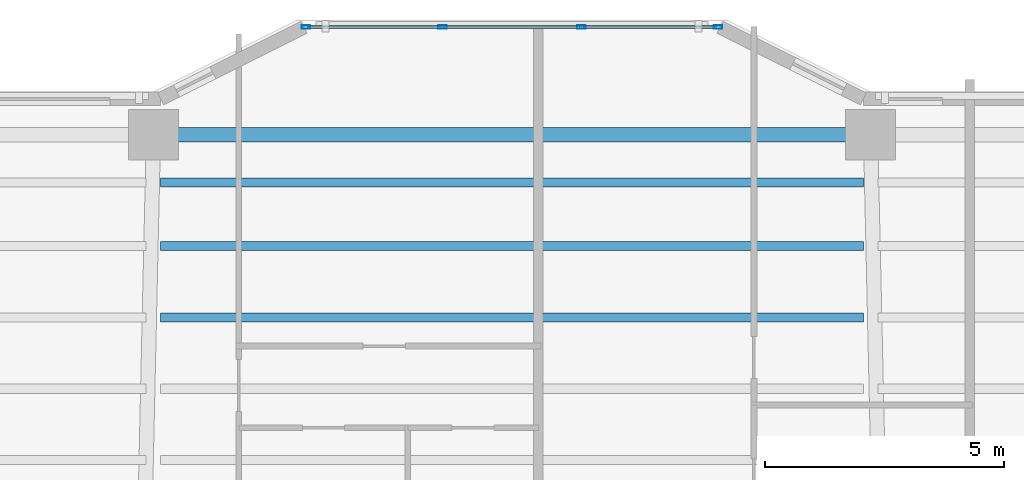
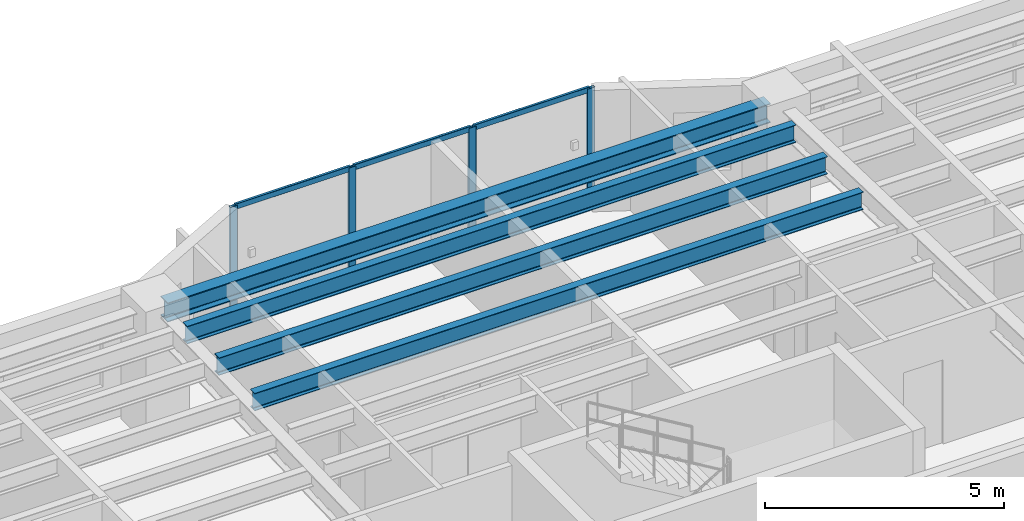
# One storey, part 4 of 18: 10 members, 4 beams, 1 element without a shape of its own.
"""IFC4 building model written with IfcOpenShell, lengths in metres."""

from ifc_helpers import new_model, si_unit, direction, frame, origin, origin_2d, place, context, subcontext, project, spatial, hollow_rectangle, i_section, extrude, material, layer, layer_set, material_profile, profile_set, type_object, element, aggregate, save


model = new_model("IFC4")

# Units and contexts
model_context = context("Model", 3, precision=1e-05, world=origin(), true_north=direction((0.0, 1.0)))
body_context = subcontext(model_context, "Body", "Model", "MODEL_VIEW")
ifc_project = project(units=[si_unit("LENGTHUNIT", "METRE"), si_unit("AREAUNIT", "SQUARE_METRE"), si_unit("VOLUMEUNIT", "CUBIC_METRE"), si_unit("PLANEANGLEUNIT", "RADIAN"), si_unit("MASSUNIT", "GRAM", prefix="KILO")], contexts=[model_context])

# Site, building, storey
site_placement = place(None, origin())
site = spatial("IfcSite", under=ifc_project, at=site_placement, CompositionType="ELEMENT")
building_placement = place(site_placement, origin())
building = spatial("IfcBuilding", under=site, at=building_placement, Name="Tarnavaz Court Tower", CompositionType="ELEMENT")
storey_placement = place(building_placement, frame((0.0, 0.0, 98.39990234375)))
storey = spatial("IfcBuildingStorey", under=building, at=storey_placement, Name="L26", CompositionType="ELEMENT", Elevation=98.39990234375)

# Beams
ifc_material_1 = material(Name="Steel S355", Category="steel")
ifc_material_profile_1 = material_profile(ifc_material_1, i_section(OverallWidth=0.18994140625, OverallDepth=0.449951171875, WebThickness=0.009521484375, FlangeThickness=0.0146484375, FilletRadius=0.02099609375, at=origin_2d()), Name="IPE 450")
ifc_profile_set_1 = profile_set([ifc_material_profile_1], Name="Steel S355")
beam_type_1 = type_object("IfcBeamType", Name="BM-J-IPE450", PredefinedType="JOIST", material=ifc_profile_set_1)
for number, where, z_axis, x_axis, name in (
    (1, (-7.35009765625, 17.48193359375, 2.875), (1.0, 0.0, 0.0), (0.0, 1.0, 0.0), "L26 Beam JN3-2"),
    (2, (-7.35009765625, 18.97607421875, 2.875), (1.0, 0.0, 0.0), (0.0, 1.0, 0.0), "L26 Beam JN4-2"),
    (3, (-7.35009765625, 20.303955078125, 2.875), (1.0, 0.0, 0.0), (0.0, 1.0, 0.0), "L26 Beam JN5-2"),
):
    element("IfcBeam", number, at=place(storey_placement, frame(where, z_axis=z_axis, x_axis=x_axis)), inside=storey, type_object=beam_type_1, Name=name, PredefinedType="JOIST", context=body_context, shape_type="SweptSolid", body=[
        extrude(i_section(OverallWidth=0.18994140625, OverallDepth=0.449951171875, WebThickness=0.009521484375, FlangeThickness=0.0146484375, FilletRadius=0.02099609375, at=origin_2d()), origin(), (0.0, 0.0, 1.0), 14.7001953125),
    ])
ifc_material_profile_2 = material_profile(ifc_material_1, i_section(OverallWidth=0.300048828125, OverallDepth=0.489990234375, WebThickness=0.011962890625, FlangeThickness=0.02294921875, FilletRadius=0.027099609375, at=origin_2d()), Name="HEA 500")
ifc_profile_set_2 = profile_set([ifc_material_profile_2], Name="Steel S355")
beam_type_2 = type_object("IfcBeamType", Name="BM-SP-HEA500", PredefinedType="SPANDREL", material=ifc_profile_set_2)
beam_placement = place(storey_placement, frame((-7.280029296875, 21.300048828125, 2.85498046875), z_axis=(1.0, 0.0, 0.0), x_axis=(0.0, 1.0, 0.0)))
element("IfcBeam", 4, at=beam_placement, inside=storey, type_object=beam_type_2, Name="L26 Beam PR-PN-2-PN-3", PredefinedType="SPANDREL", context=body_context, shape_type="SweptSolid", body=[
    extrude(i_section(OverallWidth=0.300048828125, OverallDepth=0.489990234375, WebThickness=0.011962890625, FlangeThickness=0.02294921875, FilletRadius=0.027099609375, at=origin_2d()), origin(), (0.0, 0.0, 1.0), 14.56005859375),
])

# Curtain wall, members
ifc_material_2 = material(Name="Anodised Aluminium 6063-T6 and Solar Low-E Glazing", Category="aluminium")
ifc_layer = layer(ifc_material_2, 0.179931640625)
ifc_layer_set = layer_set([ifc_layer], Name="Anodised Aluminium 6063-T6 and Solar Low-E Glazing")
curtain_wall_type = type_object("IfcCurtainWallType", Name="CW-SYS-02", PredefinedType="NOTDEFINED", material=ifc_layer_set)
curtain_wall_placement = place(storey_placement, origin())
curtain_wall = element("IfcCurtainWall", 5, at=curtain_wall_placement, inside=storey, type_object=curtain_wall_type, Name="L26 Iwan Prow Curtain Wall 7", PredefinedType="NOTDEFINED")
ifc_material_3 = material(Name="Anodised Aluminium 6063-T6", Category="aluminium")
ifc_material_profile_3 = material_profile(ifc_material_3, hollow_rectangle(XDim=0.074951171875, YDim=0.179931640625, WallThickness=0.0048828125, InnerFilletRadius=0.0048828125, OuterFilletRadius=0.010009765625, at=origin_2d()), Name="ALU RHS 180X75X5")
ifc_profile_set_3 = profile_set([ifc_material_profile_3], Name="Anodised Aluminium 6063-T6")
member_type_1 = type_object("IfcMemberType", Name="CW-MUL-180", PredefinedType="MULLION", material=ifc_profile_set_3)
member_1_placement = place(storey_placement, frame((-4.3125, 23.550048828125, 0.0), z_axis=(0.0, 0.0, 1.0), x_axis=(0.0, 1.0, 0.0)))
member_1 = element("IfcMember", 6, at=member_1_placement, type_object=member_type_1, Name="CW mullion 1", PredefinedType="MULLION", context=body_context, shape_type="SweptSolid", body=[
    extrude(hollow_rectangle(XDim=0.074951171875, YDim=0.179931640625, WallThickness=0.0048828125, InnerFilletRadius=0.0048828125, OuterFilletRadius=0.010009765625, at=origin_2d()), origin(), (0.0, 0.0, 1.0), 3.10009765625),
])
member_2_placement = place(storey_placement, frame((-1.449951171875, 23.550048828125, 0.0), z_axis=(0.0, 0.0, 1.0), x_axis=(0.0, 1.0, 0.0)))
member_2 = element("IfcMember", 7, at=member_2_placement, type_object=member_type_1, Name="CW mullion 2", PredefinedType="MULLION", context=body_context, shape_type="SweptSolid", body=[
    extrude(hollow_rectangle(XDim=0.074951171875, YDim=0.179931640625, WallThickness=0.0048828125, InnerFilletRadius=0.0048828125, OuterFilletRadius=0.010009765625, at=origin_2d()), origin(), (0.0, 0.0, 1.0), 3.10009765625),
])
member_3_placement = place(storey_placement, frame((1.449951171875, 23.550048828125, 0.0), z_axis=(0.0, 0.0, 1.0), x_axis=(0.0, 1.0, 0.0)))
member_3 = element("IfcMember", 8, at=member_3_placement, type_object=member_type_1, Name="CW mullion 3", PredefinedType="MULLION", context=body_context, shape_type="SweptSolid", body=[
    extrude(hollow_rectangle(XDim=0.074951171875, YDim=0.179931640625, WallThickness=0.0048828125, InnerFilletRadius=0.0048828125, OuterFilletRadius=0.010009765625, at=origin_2d()), origin(), (0.0, 0.0, 1.0), 3.10009765625),
])
member_4_placement = place(storey_placement, frame((4.3125, 23.550048828125, 0.0), z_axis=(0.0, 0.0, 1.0), x_axis=(0.0, 1.0, 0.0)))
member_4 = element("IfcMember", 9, at=member_4_placement, type_object=member_type_1, Name="CW mullion 4", PredefinedType="MULLION", context=body_context, shape_type="SweptSolid", body=[
    extrude(hollow_rectangle(XDim=0.074951171875, YDim=0.179931640625, WallThickness=0.0048828125, InnerFilletRadius=0.0048828125, OuterFilletRadius=0.010009765625, at=origin_2d()), origin(), (0.0, 0.0, 1.0), 3.10009765625),
])
ifc_material_profile_4 = material_profile(ifc_material_3, hollow_rectangle(XDim=0.06494140625, YDim=0.139892578125, WallThickness=0.00390625, InnerFilletRadius=0.00390625, OuterFilletRadius=0.008056640625, at=origin_2d()), Name="ALU RHS 140X65X4")
ifc_profile_set_4 = profile_set([ifc_material_profile_4], Name="Anodised Aluminium 6063-T6")
member_type_2 = type_object("IfcMemberType", Name="CW-TRN-140", PredefinedType="USERDEFINED", material=ifc_profile_set_4)
member_5_placement = place(storey_placement, frame((-4.27490234375, 23.550048828125, 0.03271484375), z_axis=(1.0, 0.0, 0.0), x_axis=(0.0, 1.0, 0.0)))
member_5 = element("IfcMember", 10, at=member_5_placement, type_object=member_type_2, Name="CW transom 1.1", ObjectType="TRANSOM", PredefinedType="USERDEFINED", context=body_context, shape_type="SweptSolid", body=[
    extrude(hollow_rectangle(XDim=0.06494140625, YDim=0.139892578125, WallThickness=0.00390625, InnerFilletRadius=0.00390625, OuterFilletRadius=0.008056640625, at=origin_2d()), origin(), (0.0, 0.0, 1.0), 2.787353515625),
])
member_6_placement = place(storey_placement, frame((-4.27490234375, 23.550048828125, 3.067626953125), z_axis=(1.0, 0.0, 0.0), x_axis=(0.0, 1.0, 0.0)))
member_6 = element("IfcMember", 11, at=member_6_placement, type_object=member_type_2, Name="CW transom 1.2", ObjectType="TRANSOM", PredefinedType="USERDEFINED", context=body_context, shape_type="SweptSolid", body=[
    extrude(hollow_rectangle(XDim=0.06494140625, YDim=0.139892578125, WallThickness=0.00390625, InnerFilletRadius=0.00390625, OuterFilletRadius=0.008056640625, at=origin_2d()), origin(), (0.0, 0.0, 1.0), 2.787353515625),
])
member_7_placement = place(storey_placement, frame((-1.41259765625, 23.550048828125, 0.03271484375), z_axis=(1.0, 0.0, 0.0), x_axis=(0.0, 1.0, 0.0)))
member_7 = element("IfcMember", 12, at=member_7_placement, type_object=member_type_2, Name="CW transom 2.1", ObjectType="TRANSOM", PredefinedType="USERDEFINED", context=body_context, shape_type="SweptSolid", body=[
    extrude(hollow_rectangle(XDim=0.06494140625, YDim=0.139892578125, WallThickness=0.00390625, InnerFilletRadius=0.00390625, OuterFilletRadius=0.008056640625, at=origin_2d()), origin(), (0.0, 0.0, 1.0), 2.8251953125),
])
member_8_placement = place(storey_placement, frame((-1.41259765625, 23.550048828125, 3.067626953125), z_axis=(1.0, 0.0, 0.0), x_axis=(0.0, 1.0, 0.0)))
member_8 = element("IfcMember", 13, at=member_8_placement, type_object=member_type_2, Name="CW transom 2.2", ObjectType="TRANSOM", PredefinedType="USERDEFINED", context=body_context, shape_type="SweptSolid", body=[
    extrude(hollow_rectangle(XDim=0.06494140625, YDim=0.139892578125, WallThickness=0.00390625, InnerFilletRadius=0.00390625, OuterFilletRadius=0.008056640625, at=origin_2d()), origin(), (0.0, 0.0, 1.0), 2.8251953125),
])
member_9_placement = place(storey_placement, frame((1.487548828125, 23.550048828125, 0.03271484375), z_axis=(1.0, 0.0, 0.0), x_axis=(0.0, 1.0, 0.0)))
member_9 = element("IfcMember", 14, at=member_9_placement, type_object=member_type_2, Name="CW transom 3.1", ObjectType="TRANSOM", PredefinedType="USERDEFINED", context=body_context, shape_type="SweptSolid", body=[
    extrude(hollow_rectangle(XDim=0.06494140625, YDim=0.139892578125, WallThickness=0.00390625, InnerFilletRadius=0.00390625, OuterFilletRadius=0.008056640625, at=origin_2d()), origin(), (0.0, 0.0, 1.0), 2.787353515625),
])
member_10_placement = place(storey_placement, frame((1.487548828125, 23.550048828125, 3.067626953125), z_axis=(1.0, 0.0, 0.0), x_axis=(0.0, 1.0, 0.0)))
member_10 = element("IfcMember", 15, at=member_10_placement, type_object=member_type_2, Name="CW transom 3.2", ObjectType="TRANSOM", PredefinedType="USERDEFINED", context=body_context, shape_type="SweptSolid", body=[
    extrude(hollow_rectangle(XDim=0.06494140625, YDim=0.139892578125, WallThickness=0.00390625, InnerFilletRadius=0.00390625, OuterFilletRadius=0.008056640625, at=origin_2d()), origin(), (0.0, 0.0, 1.0), 2.787353515625),
])
aggregate(curtain_wall, [member_1, member_2, member_3, member_4, member_5, member_6, member_7, member_8, member_9, member_10])

save(model, "model.ifc")
